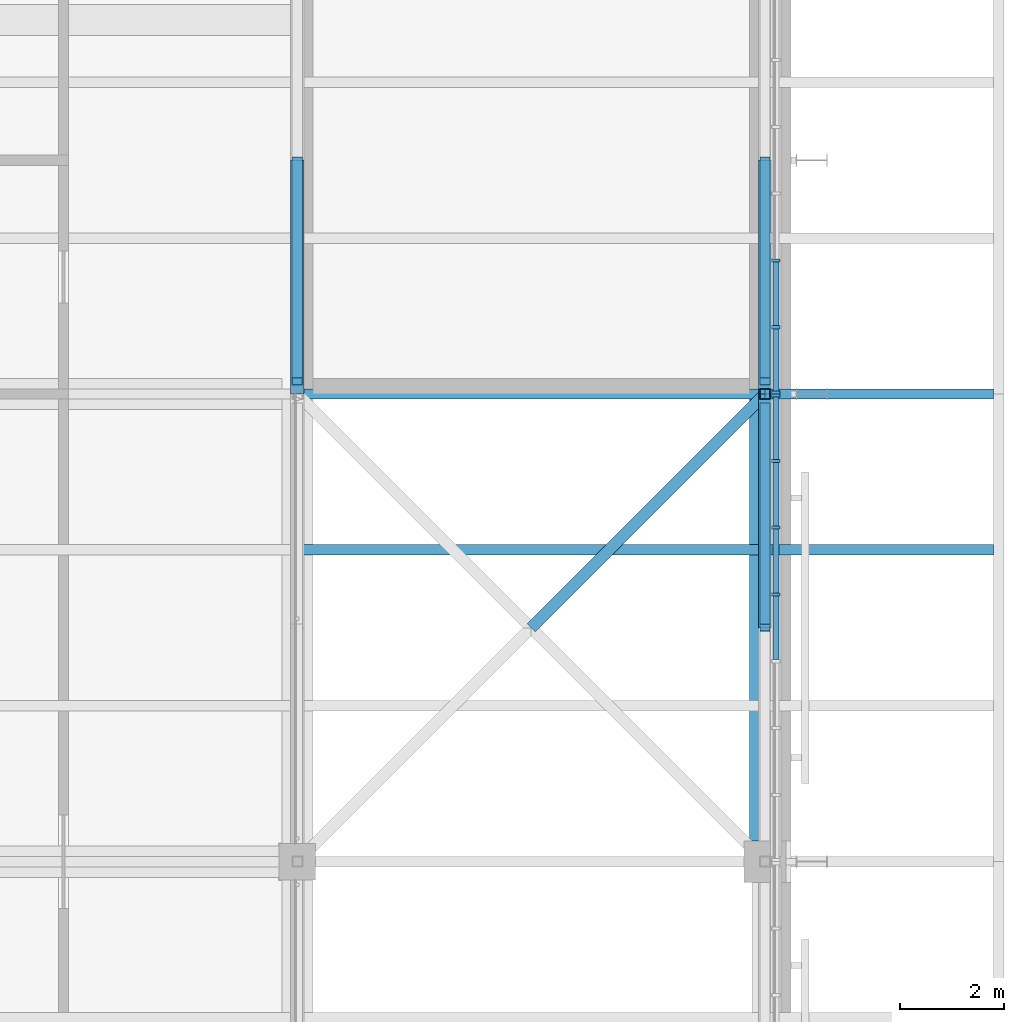
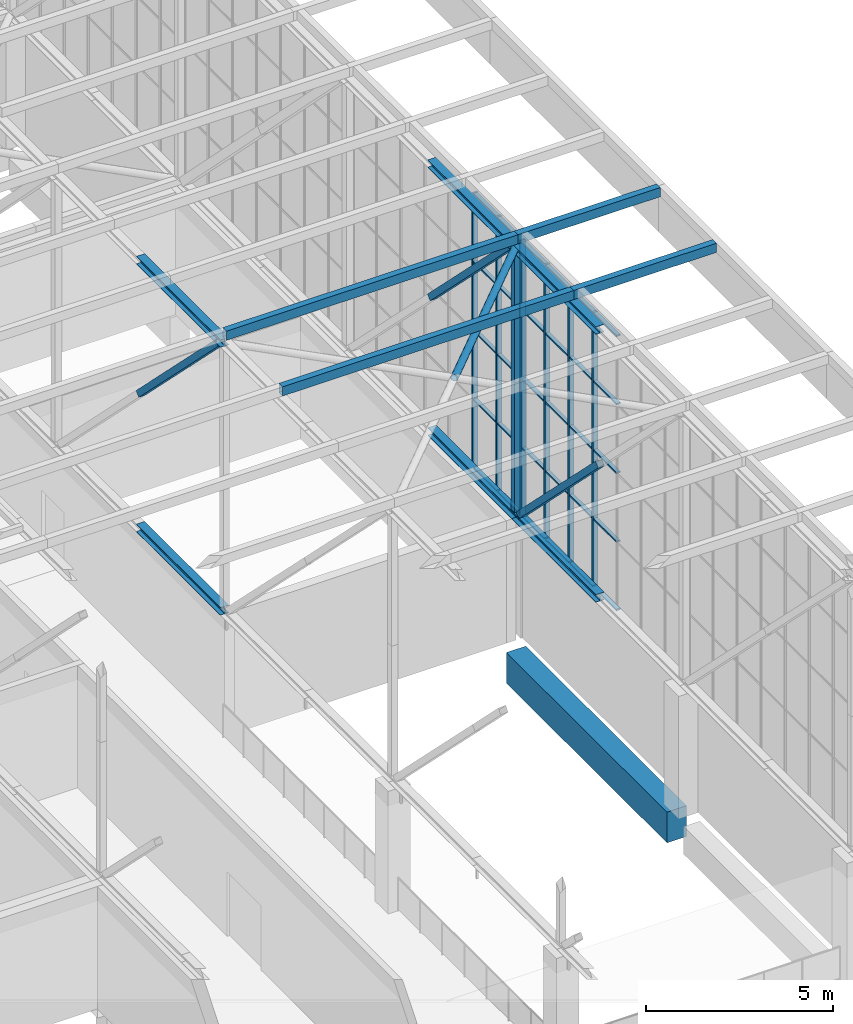
# One storey, part 93 of 646: 53 members, 1 beam, 2 elements without a shape of their own.
"""IFC4 building model written with IfcOpenShell, lengths in metres."""

from ifc_helpers import new_model, si_unit, direction, frame, origin, origin_2d, place, context, subcontext, project, spatial, rectangle, hollow_rectangle, hollow_circle, i_section, extrude, material, material_profile, profile_set, type_object, element, aggregate, save


model = new_model("IFC4")

# Units and contexts
model_context = context("Model", 3, precision=1e-05, world=origin(), true_north=direction((0.0, 1.0)))
body_context = subcontext(model_context, "Body", "Model", "MODEL_VIEW")
ifc_project = project(units=[si_unit("LENGTHUNIT", "METRE"), si_unit("AREAUNIT", "SQUARE_METRE"), si_unit("VOLUMEUNIT", "CUBIC_METRE"), si_unit("PLANEANGLEUNIT", "RADIAN"), si_unit("MASSUNIT", "GRAM", prefix="KILO")], contexts=[model_context])

# Site, building, storey
site_placement = place(None, origin())
site = spatial("IfcSite", under=ifc_project, at=site_placement, CompositionType="ELEMENT")
building_placement = place(site_placement, origin())
building = spatial("IfcBuilding", under=site, at=building_placement, Name="Silverbay Arena", CompositionType="ELEMENT")
storey_placement = place(building_placement, frame((0.0, 0.0, 33.5)))
storey = spatial("IfcBuildingStorey", under=building, at=storey_placement, Name="L05", CompositionType="ELEMENT", Elevation=33.5)

# Curtain wall, members
ifc_material_1 = material(Name="Aluminium framed glazing", Category="aluminium")
curtain_wall_type = type_object("IfcCurtainWallType", Name="Curtain wall clerestory 9000 x 9000", PredefinedType="NOTDEFINED", material=ifc_material_1)
curtain_wall_1_placement = place(storey_placement, origin())
curtain_wall_1 = element("IfcCurtainWall", 1, at=curtain_wall_1_placement, inside=storey, type_object=curtain_wall_type, Name="ROOF GABLE CLERESTORY CURTAIN WALL east bay 05", PredefinedType="NOTDEFINED")
ifc_material_2 = material(Name="Aluminium", Category="aluminium")
ifc_material_profile_1 = material_profile(ifc_material_2, rectangle(XDim=0.159912109375, YDim=0.06005859375, at=origin_2d()), Name="Mullion 60 x 160")
ifc_profile_set_1 = profile_set([ifc_material_profile_1], Name="Aluminium")
member_type_1 = type_object("IfcMemberType", Name="Mullion 60 x 160", PredefinedType="MULLION", material=ifc_profile_set_1)
member_1_placement = place(storey_placement, frame((207.2099609375, 50.142822265625, 4.0), z_axis=(0.0, 0.0, 1.0), x_axis=(-1.0, 0.0, 0.0)))
member_1 = element("IfcMember", 2, at=member_1_placement, type_object=member_type_1, Name="CW60 mullion 5", PredefinedType="MULLION", context=body_context, shape_type="SweptSolid", body=[
    extrude(rectangle(XDim=0.159912109375, YDim=0.06005859375, at=origin_2d()), origin(), (0.0, 0.0, 1.0), 9.0),
])
member_2_placement = place(storey_placement, frame((207.2099609375, 51.428466796875, 4.0), z_axis=(0.0, 0.0, 1.0), x_axis=(-1.0, 0.0, 0.0)))
member_2 = element("IfcMember", 3, at=member_2_placement, type_object=member_type_1, Name="CW60 mullion 6", PredefinedType="MULLION", context=body_context, shape_type="SweptSolid", body=[
    extrude(rectangle(XDim=0.159912109375, YDim=0.06005859375, at=origin_2d()), origin(), (0.0, 0.0, 1.0), 9.0),
])
member_3_placement = place(storey_placement, frame((207.2099609375, 52.71435546875, 4.0), z_axis=(0.0, 0.0, 1.0), x_axis=(-1.0, 0.0, 0.0)))
member_3 = element("IfcMember", 4, at=member_3_placement, type_object=member_type_1, Name="CW60 mullion 7", PredefinedType="MULLION", context=body_context, shape_type="SweptSolid", body=[
    extrude(rectangle(XDim=0.159912109375, YDim=0.06005859375, at=origin_2d()), origin(), (0.0, 0.0, 1.0), 9.0),
])
member_4_placement = place(storey_placement, frame((207.2099609375, 53.969970703125, 4.0), z_axis=(0.0, 0.0, 1.0), x_axis=(-1.0, 0.0, 0.0)))
member_4 = element("IfcMember", 5, at=member_4_placement, type_object=member_type_1, Name="CW60 mullion 8", PredefinedType="MULLION", context=body_context, shape_type="SweptSolid", body=[
    extrude(rectangle(XDim=0.159912109375, YDim=0.06005859375, at=origin_2d()), origin(), (0.0, 0.0, 1.0), 9.0),
])

curtain_wall_2_placement = place(storey_placement, origin())
curtain_wall_2 = element("IfcCurtainWall", 6, at=curtain_wall_2_placement, inside=storey, type_object=curtain_wall_type, Name="ROOF GABLE CLERESTORY CURTAIN WALL east bay 06", PredefinedType="NOTDEFINED")
member_5_placement = place(storey_placement, frame((207.2099609375, 54.030029296875, 4.0), z_axis=(0.0, 0.0, 1.0), x_axis=(-1.0, 0.0, 0.0)))
member_5 = element("IfcMember", 7, at=member_5_placement, type_object=member_type_1, Name="CW60 mullion 1", PredefinedType="MULLION", context=body_context, shape_type="SweptSolid", body=[
    extrude(rectangle(XDim=0.159912109375, YDim=0.06005859375, at=origin_2d()), origin(), (0.0, 0.0, 1.0), 9.0),
])
member_6_placement = place(storey_placement, frame((207.2099609375, 55.28564453125, 4.0), z_axis=(0.0, 0.0, 1.0), x_axis=(-1.0, 0.0, 0.0)))
member_6 = element("IfcMember", 8, at=member_6_placement, type_object=member_type_1, Name="CW60 mullion 2", PredefinedType="MULLION", context=body_context, shape_type="SweptSolid", body=[
    extrude(rectangle(XDim=0.159912109375, YDim=0.06005859375, at=origin_2d()), origin(), (0.0, 0.0, 1.0), 9.0),
])
member_7_placement = place(storey_placement, frame((207.2099609375, 56.571533203125, 4.0), z_axis=(0.0, 0.0, 1.0), x_axis=(-1.0, 0.0, 0.0)))
member_7 = element("IfcMember", 9, at=member_7_placement, type_object=member_type_1, Name="CW60 mullion 3", PredefinedType="MULLION", context=body_context, shape_type="SweptSolid", body=[
    extrude(rectangle(XDim=0.159912109375, YDim=0.06005859375, at=origin_2d()), origin(), (0.0, 0.0, 1.0), 9.0),
])

# Members
ifc_material_3 = material(Name="Steel S355", Category="steel")
ifc_material_profile_2 = material_profile(ifc_material_3, hollow_circle(Radius=0.109619140625, WallThickness=0.00634765625, at=origin_2d()), Name="CHS 219.1x6.3")
ifc_profile_set_2 = profile_set([ifc_material_profile_2], Name="Steel S355")
member_type_2 = type_object("IfcMemberType", Name="Plan bracing CHS 219.1x6.3", PredefinedType="BRACE", material=ifc_profile_set_2)
member_8_placement = place(storey_placement, frame((202.5, 49.5, 12.873046875), z_axis=(0.707106781187, 0.707106781187, 0.0), x_axis=(-0.707106781187, 0.707106781187, 0.0)))
element("IfcMember", 10, at=member_8_placement, inside=storey, type_object=member_type_2, Name="ROOF BRACING top 23-24 panel 05 Ab", PredefinedType="BRACE", context=body_context, shape_type="SweptSolid", body=[
    extrude(hollow_circle(Radius=0.109619140625, WallThickness=0.00634765625, at=origin_2d()), origin(), (0.0, 0.0, 1.0), 6.364013671875),
])
ifc_material_4 = material(Name="Steel S355", Category="steel")
ifc_material_profile_3 = material_profile(ifc_material_4, hollow_rectangle(XDim=0.199951171875, YDim=0.300048828125, WallThickness=0.008056640625, at=origin_2d()), Name="RHS 300x200x8")
ifc_profile_set_3 = profile_set([ifc_material_profile_3], Name="Steel S355")
member_type_3 = type_object("IfcMemberType", Name="Purlin RHS 300x200x8", PredefinedType="PURLIN", material=ifc_profile_set_3)
for number, where, z_axis, x_axis, name in (
    (11, (198.0, 51.0, 13.14990234375), (1.0, 0.0, 0.0), (0.0, 1.0, 0.0), "ROOF PURLIN 23-24 line 15"),
    (12, (198.0, 54.0, 13.14990234375), (1.0, 0.0, 0.0), (0.0, 1.0, 0.0), "ROOF PURLIN 23-24 line 16"),
):
    element("IfcMember", number, at=place(storey_placement, frame(where, z_axis=z_axis, x_axis=x_axis)), inside=storey, type_object=member_type_3, Name=name, PredefinedType="PURLIN", context=body_context, shape_type="SweptSolid", body=[
        extrude(hollow_rectangle(XDim=0.199951171875, YDim=0.300048828125, WallThickness=0.008056640625, at=origin_2d()), origin(), (0.0, 0.0, 1.0), 9.0),
    ])
for number, where, z_axis, x_axis, name in (
    (13, (211.39990234375, 51.0, 13.14990234375), (-1.0, 0.0, 0.0), (0.0, -1.0, 0.0), "ROOF PURLIN east eave line 15"),
    (14, (211.39990234375, 54.0, 13.14990234375), (-1.0, 0.0, 0.0), (0.0, -1.0, 0.0), "ROOF PURLIN east eave line 16"),
):
    element("IfcMember", number, at=place(storey_placement, frame(where, z_axis=z_axis, x_axis=x_axis)), inside=storey, type_object=member_type_3, Name=name, PredefinedType="PURLIN", context=body_context, shape_type="SweptSolid", body=[
        extrude(hollow_rectangle(XDim=0.199951171875, YDim=0.300048828125, WallThickness=0.008056640625, at=origin_2d()), origin(), (0.0, 0.0, 1.0), 4.39990234375),
    ])

# Beam
ifc_material_5 = material(Name="Concrete Grade C45", Category="concrete")
ifc_material_profile_4 = material_profile(ifc_material_5, rectangle(XDim=0.60009765625, YDim=1.0, at=origin_2d()), Name="RC 600x1000")
ifc_profile_set_4 = profile_set([ifc_material_profile_4], Name="Concrete Grade C45")
beam_type = type_object("IfcBeamType", Name="RC beam 600x1000", PredefinedType="BEAM", material=ifc_profile_set_4)
beam_placement = place(storey_placement, frame((207.0, 45.39990234375, -0.800048828125), z_axis=(0.0, 1.0, 0.0), x_axis=(-1.0, 0.0, 0.0)))
element("IfcBeam", 15, at=beam_placement, inside=storey, type_object=beam_type, Name="Floor beam L05 149", PredefinedType="BEAM", context=body_context, shape_type="SweptSolid", body=[
    extrude(rectangle(XDim=0.60009765625, YDim=1.0, at=origin_2d()), origin(), (0.0, 0.0, 1.0), 8.60009765625),
])

# Members
ifc_material_6 = material(Name="Steel S355", Category="steel")
ifc_material_profile_5 = material_profile(ifc_material_6, i_section(OverallWidth=0.254638671875, OverallDepth=0.254150390625, WebThickness=0.008544921875, FlangeThickness=0.01416015625, at=origin_2d()), Name="UC 254x254x73")
ifc_profile_set_5 = profile_set([ifc_material_profile_5], Name="Steel S355")
member_type_4 = type_object("IfcMemberType", Name="Short-span bottom chord UC 254x254x73", PredefinedType="CHORD", material=ifc_profile_set_5)
for number, where, z_axis, x_axis, name in (
    (16, (198.0, 54.0, 4.126953125), (0.0, 1.0, 0.0), (-1.0, 0.0, 0.0), "ROOF TRUSS 23 bottom chord 06a"),
    (17, (207.0, 49.5, 4.126953125), (0.0, 1.0, 0.0), (-1.0, 0.0, 0.0), "ROOF TRUSS 24 bottom chord 05b"),
    (18, (207.0, 54.0, 4.126953125), (0.0, 1.0, 0.0), (-1.0, 0.0, 0.0), "ROOF TRUSS 24 bottom chord 06a"),
):
    element("IfcMember", number, at=place(storey_placement, frame(where, z_axis=z_axis, x_axis=x_axis)), inside=storey, type_object=member_type_4, Name=name, PredefinedType="CHORD", context=body_context, shape_type="SweptSolid", body=[
        extrude(i_section(OverallWidth=0.254638671875, OverallDepth=0.254150390625, WebThickness=0.008544921875, FlangeThickness=0.01416015625, at=origin_2d()), origin(), (0.0, 0.0, 1.0), 4.5),
    ])
ifc_material_7 = material(Name="Steel S355", Category="steel")
ifc_material_profile_6 = material_profile(ifc_material_7, i_section(OverallWidth=0.254638671875, OverallDepth=0.254150390625, WebThickness=0.008544921875, FlangeThickness=0.01416015625, at=origin_2d()), Name="UC 254x254x73")
ifc_profile_set_6 = profile_set([ifc_material_profile_6], Name="Steel S355")
member_type_5 = type_object("IfcMemberType", Name="Short-span top chord UC 254x254x73", PredefinedType="CHORD", material=ifc_profile_set_6)
for number, where, z_axis, x_axis, name in (
    (19, (198.0, 54.0, 12.873046875), (0.0, 1.0, 0.0), (-1.0, 0.0, 0.0), "ROOF TRUSS 23 top chord 06a"),
    (20, (207.0, 49.5, 12.873046875), (0.0, 1.0, 0.0), (-1.0, 0.0, 0.0), "ROOF TRUSS 24 top chord 05b"),
    (21, (207.0, 54.0, 12.873046875), (0.0, 1.0, 0.0), (-1.0, 0.0, 0.0), "ROOF TRUSS 24 top chord 06a"),
):
    element("IfcMember", number, at=place(storey_placement, frame(where, z_axis=z_axis, x_axis=x_axis)), inside=storey, type_object=member_type_5, Name=name, PredefinedType="CHORD", context=body_context, shape_type="SweptSolid", body=[
        extrude(i_section(OverallWidth=0.254638671875, OverallDepth=0.254150390625, WebThickness=0.008544921875, FlangeThickness=0.01416015625, at=origin_2d()), origin(), (0.0, 0.0, 1.0), 4.5),
    ])
ifc_material_8 = material(Name="Steel S355", Category="steel")
ifc_material_profile_7 = material_profile(ifc_material_8, hollow_rectangle(XDim=0.199951171875, YDim=0.199951171875, WallThickness=0.008056640625, at=origin_2d()), Name="SHS 200x200x8")
ifc_profile_set_7 = profile_set([ifc_material_profile_7], Name="Steel S355")
member_type_6 = type_object("IfcMemberType", Name="Short-span truss diagonal SHS 200x200x8", PredefinedType="BRACE", material=ifc_profile_set_7)
member_9_placement = place(storey_placement, frame((198.0, 54.24560546875, 12.745849609375), z_axis=(0.0, 0.707411529143, -0.706801901834), x_axis=(-1.0, 0.0, 0.0)))
element("IfcMember", 22, at=member_9_placement, inside=storey, type_object=member_type_6, Name="ROOF TRUSS 23 diagonal 06a", PredefinedType="BRACE", context=body_context, shape_type="SweptSolid", body=[
    extrude(hollow_rectangle(XDim=0.199951171875, YDim=0.199951171875, WallThickness=0.008056640625, at=origin_2d()), origin(), (0.0, 0.0, 1.0), 6.007080078125),
])
member_10_placement = place(storey_placement, frame((207.0, 49.5, 8.5), z_axis=(0.0, 0.70781724692, -0.706395600894), x_axis=(-1.0, 0.0, 0.0)))
element("IfcMember", 23, at=member_10_placement, inside=storey, type_object=member_type_6, Name="ROOF TRUSS 24 diagonal 05b", PredefinedType="BRACE", context=body_context, shape_type="SweptSolid", body=[
    extrude(hollow_rectangle(XDim=0.199951171875, YDim=0.199951171875, WallThickness=0.008056640625, at=origin_2d()), origin(), (0.0, 0.0, 1.0), 6.010498046875),
])
member_11_placement = place(storey_placement, frame((207.0, 54.24560546875, 12.745849609375), z_axis=(0.0, 0.707411529143, -0.706801901834), x_axis=(-1.0, 0.0, 0.0)))
element("IfcMember", 24, at=member_11_placement, inside=storey, type_object=member_type_6, Name="ROOF TRUSS 24 diagonal 06a", PredefinedType="BRACE", context=body_context, shape_type="SweptSolid", body=[
    extrude(hollow_rectangle(XDim=0.199951171875, YDim=0.199951171875, WallThickness=0.008056640625, at=origin_2d()), origin(), (0.0, 0.0, 1.0), 6.007080078125),
])
ifc_material_9 = material(Name="Steel S355", Category="steel")
ifc_material_profile_8 = material_profile(ifc_material_9, hollow_rectangle(XDim=0.199951171875, YDim=0.199951171875, WallThickness=0.008056640625, at=origin_2d()), Name="SHS 200x200x8")
ifc_profile_set_8 = profile_set([ifc_material_profile_8], Name="Steel S355")
member_type_7 = type_object("IfcMemberType", Name="Short-span truss vertical SHS 200x200x8", PredefinedType="STRUT", material=ifc_profile_set_8)
for number, where, z_axis, x_axis, name in (
    (25, (207.0, 54.0, 4.254150390625), (0.0, 0.0, 1.0), (1.0, 0.0, 0.0), "ROOF TRUSS 24 vertical 06a"),
    (26, (207.0, 54.0, 8.5), (0.0, 0.0, 1.0), (1.0, 0.0, 0.0), "ROOF TRUSS 24 vertical 06b"),
):
    element("IfcMember", number, at=place(storey_placement, frame(where, z_axis=z_axis, x_axis=x_axis)), inside=storey, type_object=member_type_7, Name=name, PredefinedType="STRUT", context=body_context, shape_type="SweptSolid", body=[
        extrude(hollow_rectangle(XDim=0.199951171875, YDim=0.199951171875, WallThickness=0.008056640625, at=origin_2d()), origin(), (0.0, 0.0, 1.0), 4.245849609375),
    ])

# Member
ifc_material_10 = material(Name="Aluminium", Category="aluminium")
ifc_material_profile_9 = material_profile(ifc_material_10, rectangle(XDim=0.1201171875, YDim=0.050048828125, at=origin_2d()), Name="Transom 50 x 120")
ifc_profile_set_9 = profile_set([ifc_material_profile_9], Name="Aluminium")
member_type_8 = type_object("IfcMemberType", Name="Transom 50 x 120", PredefinedType="USERDEFINED", material=ifc_profile_set_9)
member_12_placement = place(storey_placement, frame((207.2099609375, 48.88720703125, 4.02490234375), z_axis=(0.0, 1.0, 0.0), x_axis=(-1.0, 0.0, 0.0)))
member_12 = element("IfcMember", 27, at=member_12_placement, type_object=member_type_8, Name="CW60 transom 4.1", ObjectType="TRANSOM", PredefinedType="USERDEFINED", context=body_context, shape_type="SweptSolid", body=[
    extrude(rectangle(XDim=0.1201171875, YDim=0.050048828125, at=origin_2d()), origin(), (0.0, 0.0, 1.0), 1.2255859375),
])

member_13_placement = place(storey_placement, frame((207.2099609375, 48.88720703125, 6.25), z_axis=(0.0, 1.0, 0.0), x_axis=(-1.0, 0.0, 0.0)))
member_13 = element("IfcMember", 28, at=member_13_placement, type_object=member_type_8, Name="CW60 transom 4.2", ObjectType="TRANSOM", PredefinedType="USERDEFINED", context=body_context, shape_type="SweptSolid", body=[
    extrude(rectangle(XDim=0.1201171875, YDim=0.050048828125, at=origin_2d()), origin(), (0.0, 0.0, 1.0), 1.2255859375),
])

member_14_placement = place(storey_placement, frame((207.2099609375, 48.88720703125, 8.5), z_axis=(0.0, 1.0, 0.0), x_axis=(-1.0, 0.0, 0.0)))
member_14 = element("IfcMember", 29, at=member_14_placement, type_object=member_type_8, Name="CW60 transom 4.3", ObjectType="TRANSOM", PredefinedType="USERDEFINED", context=body_context, shape_type="SweptSolid", body=[
    extrude(rectangle(XDim=0.1201171875, YDim=0.050048828125, at=origin_2d()), origin(), (0.0, 0.0, 1.0), 1.2255859375),
])

member_15_placement = place(storey_placement, frame((207.2099609375, 48.88720703125, 10.75), z_axis=(0.0, 1.0, 0.0), x_axis=(-1.0, 0.0, 0.0)))
member_15 = element("IfcMember", 30, at=member_15_placement, type_object=member_type_8, Name="CW60 transom 4.4", ObjectType="TRANSOM", PredefinedType="USERDEFINED", context=body_context, shape_type="SweptSolid", body=[
    extrude(rectangle(XDim=0.1201171875, YDim=0.050048828125, at=origin_2d()), origin(), (0.0, 0.0, 1.0), 1.2255859375),
])

member_16_placement = place(storey_placement, frame((207.2099609375, 48.88720703125, 12.97509765625), z_axis=(0.0, 1.0, 0.0), x_axis=(-1.0, 0.0, 0.0)))
member_16 = element("IfcMember", 31, at=member_16_placement, type_object=member_type_8, Name="CW60 transom 4.5", ObjectType="TRANSOM", PredefinedType="USERDEFINED", context=body_context, shape_type="SweptSolid", body=[
    extrude(rectangle(XDim=0.1201171875, YDim=0.050048828125, at=origin_2d()), origin(), (0.0, 0.0, 1.0), 1.2255859375),
])

member_17_placement = place(storey_placement, frame((207.2099609375, 50.1728515625, 4.02490234375), z_axis=(0.0, 1.0, 0.0), x_axis=(-1.0, 0.0, 0.0)))
member_17 = element("IfcMember", 32, at=member_17_placement, type_object=member_type_8, Name="CW60 transom 5.1", ObjectType="TRANSOM", PredefinedType="USERDEFINED", context=body_context, shape_type="SweptSolid", body=[
    extrude(rectangle(XDim=0.1201171875, YDim=0.050048828125, at=origin_2d()), origin(), (0.0, 0.0, 1.0), 1.225830078125),
])

member_18_placement = place(storey_placement, frame((207.2099609375, 50.1728515625, 6.25), z_axis=(0.0, 1.0, 0.0), x_axis=(-1.0, 0.0, 0.0)))
member_18 = element("IfcMember", 33, at=member_18_placement, type_object=member_type_8, Name="CW60 transom 5.2", ObjectType="TRANSOM", PredefinedType="USERDEFINED", context=body_context, shape_type="SweptSolid", body=[
    extrude(rectangle(XDim=0.1201171875, YDim=0.050048828125, at=origin_2d()), origin(), (0.0, 0.0, 1.0), 1.225830078125),
])

member_19_placement = place(storey_placement, frame((207.2099609375, 50.1728515625, 8.5), z_axis=(0.0, 1.0, 0.0), x_axis=(-1.0, 0.0, 0.0)))
member_19 = element("IfcMember", 34, at=member_19_placement, type_object=member_type_8, Name="CW60 transom 5.3", ObjectType="TRANSOM", PredefinedType="USERDEFINED", context=body_context, shape_type="SweptSolid", body=[
    extrude(rectangle(XDim=0.1201171875, YDim=0.050048828125, at=origin_2d()), origin(), (0.0, 0.0, 1.0), 1.225830078125),
])

member_20_placement = place(storey_placement, frame((207.2099609375, 50.1728515625, 10.75), z_axis=(0.0, 1.0, 0.0), x_axis=(-1.0, 0.0, 0.0)))
member_20 = element("IfcMember", 35, at=member_20_placement, type_object=member_type_8, Name="CW60 transom 5.4", ObjectType="TRANSOM", PredefinedType="USERDEFINED", context=body_context, shape_type="SweptSolid", body=[
    extrude(rectangle(XDim=0.1201171875, YDim=0.050048828125, at=origin_2d()), origin(), (0.0, 0.0, 1.0), 1.225830078125),
])

member_21_placement = place(storey_placement, frame((207.2099609375, 50.1728515625, 12.97509765625), z_axis=(0.0, 1.0, 0.0), x_axis=(-1.0, 0.0, 0.0)))
member_21 = element("IfcMember", 36, at=member_21_placement, type_object=member_type_8, Name="CW60 transom 5.5", ObjectType="TRANSOM", PredefinedType="USERDEFINED", context=body_context, shape_type="SweptSolid", body=[
    extrude(rectangle(XDim=0.1201171875, YDim=0.050048828125, at=origin_2d()), origin(), (0.0, 0.0, 1.0), 1.225830078125),
])

member_22_placement = place(storey_placement, frame((207.2099609375, 51.45849609375, 4.02490234375), z_axis=(0.0, 1.0, 0.0), x_axis=(-1.0, 0.0, 0.0)))
member_22 = element("IfcMember", 37, at=member_22_placement, type_object=member_type_8, Name="CW60 transom 6.1", ObjectType="TRANSOM", PredefinedType="USERDEFINED", context=body_context, shape_type="SweptSolid", body=[
    extrude(rectangle(XDim=0.1201171875, YDim=0.050048828125, at=origin_2d()), origin(), (0.0, 0.0, 1.0), 1.225830078125),
])

member_23_placement = place(storey_placement, frame((207.2099609375, 51.45849609375, 6.25), z_axis=(0.0, 1.0, 0.0), x_axis=(-1.0, 0.0, 0.0)))
member_23 = element("IfcMember", 38, at=member_23_placement, type_object=member_type_8, Name="CW60 transom 6.2", ObjectType="TRANSOM", PredefinedType="USERDEFINED", context=body_context, shape_type="SweptSolid", body=[
    extrude(rectangle(XDim=0.1201171875, YDim=0.050048828125, at=origin_2d()), origin(), (0.0, 0.0, 1.0), 1.225830078125),
])

member_24_placement = place(storey_placement, frame((207.2099609375, 51.45849609375, 8.5), z_axis=(0.0, 1.0, 0.0), x_axis=(-1.0, 0.0, 0.0)))
member_24 = element("IfcMember", 39, at=member_24_placement, type_object=member_type_8, Name="CW60 transom 6.3", ObjectType="TRANSOM", PredefinedType="USERDEFINED", context=body_context, shape_type="SweptSolid", body=[
    extrude(rectangle(XDim=0.1201171875, YDim=0.050048828125, at=origin_2d()), origin(), (0.0, 0.0, 1.0), 1.225830078125),
])

member_25_placement = place(storey_placement, frame((207.2099609375, 51.45849609375, 10.75), z_axis=(0.0, 1.0, 0.0), x_axis=(-1.0, 0.0, 0.0)))
member_25 = element("IfcMember", 40, at=member_25_placement, type_object=member_type_8, Name="CW60 transom 6.4", ObjectType="TRANSOM", PredefinedType="USERDEFINED", context=body_context, shape_type="SweptSolid", body=[
    extrude(rectangle(XDim=0.1201171875, YDim=0.050048828125, at=origin_2d()), origin(), (0.0, 0.0, 1.0), 1.225830078125),
])

member_26_placement = place(storey_placement, frame((207.2099609375, 51.45849609375, 12.97509765625), z_axis=(0.0, 1.0, 0.0), x_axis=(-1.0, 0.0, 0.0)))
member_26 = element("IfcMember", 41, at=member_26_placement, type_object=member_type_8, Name="CW60 transom 6.5", ObjectType="TRANSOM", PredefinedType="USERDEFINED", context=body_context, shape_type="SweptSolid", body=[
    extrude(rectangle(XDim=0.1201171875, YDim=0.050048828125, at=origin_2d()), origin(), (0.0, 0.0, 1.0), 1.225830078125),
])

member_27_placement = place(storey_placement, frame((207.2099609375, 52.744384765625, 4.02490234375), z_axis=(0.0, 1.0, 0.0), x_axis=(-1.0, 0.0, 0.0)))
member_27 = element("IfcMember", 42, at=member_27_placement, type_object=member_type_8, Name="CW60 transom 7.1", ObjectType="TRANSOM", PredefinedType="USERDEFINED", context=body_context, shape_type="SweptSolid", body=[
    extrude(rectangle(XDim=0.1201171875, YDim=0.050048828125, at=origin_2d()), origin(), (0.0, 0.0, 1.0), 1.195556640625),
])

member_28_placement = place(storey_placement, frame((207.2099609375, 52.744384765625, 6.25), z_axis=(0.0, 1.0, 0.0), x_axis=(-1.0, 0.0, 0.0)))
member_28 = element("IfcMember", 43, at=member_28_placement, type_object=member_type_8, Name="CW60 transom 7.2", ObjectType="TRANSOM", PredefinedType="USERDEFINED", context=body_context, shape_type="SweptSolid", body=[
    extrude(rectangle(XDim=0.1201171875, YDim=0.050048828125, at=origin_2d()), origin(), (0.0, 0.0, 1.0), 1.195556640625),
])

member_29_placement = place(storey_placement, frame((207.2099609375, 52.744384765625, 8.5), z_axis=(0.0, 1.0, 0.0), x_axis=(-1.0, 0.0, 0.0)))
member_29 = element("IfcMember", 44, at=member_29_placement, type_object=member_type_8, Name="CW60 transom 7.3", ObjectType="TRANSOM", PredefinedType="USERDEFINED", context=body_context, shape_type="SweptSolid", body=[
    extrude(rectangle(XDim=0.1201171875, YDim=0.050048828125, at=origin_2d()), origin(), (0.0, 0.0, 1.0), 1.195556640625),
])

member_30_placement = place(storey_placement, frame((207.2099609375, 52.744384765625, 10.75), z_axis=(0.0, 1.0, 0.0), x_axis=(-1.0, 0.0, 0.0)))
member_30 = element("IfcMember", 45, at=member_30_placement, type_object=member_type_8, Name="CW60 transom 7.4", ObjectType="TRANSOM", PredefinedType="USERDEFINED", context=body_context, shape_type="SweptSolid", body=[
    extrude(rectangle(XDim=0.1201171875, YDim=0.050048828125, at=origin_2d()), origin(), (0.0, 0.0, 1.0), 1.195556640625),
])

member_31_placement = place(storey_placement, frame((207.2099609375, 52.744384765625, 12.97509765625), z_axis=(0.0, 1.0, 0.0), x_axis=(-1.0, 0.0, 0.0)))
member_31 = element("IfcMember", 46, at=member_31_placement, type_object=member_type_8, Name="CW60 transom 7.5", ObjectType="TRANSOM", PredefinedType="USERDEFINED", context=body_context, shape_type="SweptSolid", body=[
    extrude(rectangle(XDim=0.1201171875, YDim=0.050048828125, at=origin_2d()), origin(), (0.0, 0.0, 1.0), 1.195556640625),
])

aggregate(curtain_wall_1, [member_1, member_2, member_3, member_4, member_12, member_13, member_14, member_15, member_16, member_17, member_18, member_19, member_20, member_21, member_22, member_23, member_24, member_25, member_26, member_27, member_28, member_29, member_30, member_31])

member_32_placement = place(storey_placement, frame((207.2099609375, 54.06005859375, 4.02490234375), z_axis=(0.0, 1.0, 0.0), x_axis=(-1.0, 0.0, 0.0)))
member_32 = element("IfcMember", 47, at=member_32_placement, type_object=member_type_8, Name="CW60 transom 1.1", ObjectType="TRANSOM", PredefinedType="USERDEFINED", context=body_context, shape_type="SweptSolid", body=[
    extrude(rectangle(XDim=0.1201171875, YDim=0.050048828125, at=origin_2d()), origin(), (0.0, 0.0, 1.0), 1.195556640625),
])

member_33_placement = place(storey_placement, frame((207.2099609375, 54.06005859375, 6.25), z_axis=(0.0, 1.0, 0.0), x_axis=(-1.0, 0.0, 0.0)))
member_33 = element("IfcMember", 48, at=member_33_placement, type_object=member_type_8, Name="CW60 transom 1.2", ObjectType="TRANSOM", PredefinedType="USERDEFINED", context=body_context, shape_type="SweptSolid", body=[
    extrude(rectangle(XDim=0.1201171875, YDim=0.050048828125, at=origin_2d()), origin(), (0.0, 0.0, 1.0), 1.195556640625),
])

member_34_placement = place(storey_placement, frame((207.2099609375, 54.06005859375, 8.5), z_axis=(0.0, 1.0, 0.0), x_axis=(-1.0, 0.0, 0.0)))
member_34 = element("IfcMember", 49, at=member_34_placement, type_object=member_type_8, Name="CW60 transom 1.3", ObjectType="TRANSOM", PredefinedType="USERDEFINED", context=body_context, shape_type="SweptSolid", body=[
    extrude(rectangle(XDim=0.1201171875, YDim=0.050048828125, at=origin_2d()), origin(), (0.0, 0.0, 1.0), 1.195556640625),
])

member_35_placement = place(storey_placement, frame((207.2099609375, 54.06005859375, 10.75), z_axis=(0.0, 1.0, 0.0), x_axis=(-1.0, 0.0, 0.0)))
member_35 = element("IfcMember", 50, at=member_35_placement, type_object=member_type_8, Name="CW60 transom 1.4", ObjectType="TRANSOM", PredefinedType="USERDEFINED", context=body_context, shape_type="SweptSolid", body=[
    extrude(rectangle(XDim=0.1201171875, YDim=0.050048828125, at=origin_2d()), origin(), (0.0, 0.0, 1.0), 1.195556640625),
])

member_36_placement = place(storey_placement, frame((207.2099609375, 54.06005859375, 12.97509765625), z_axis=(0.0, 1.0, 0.0), x_axis=(-1.0, 0.0, 0.0)))
member_36 = element("IfcMember", 51, at=member_36_placement, type_object=member_type_8, Name="CW60 transom 1.5", ObjectType="TRANSOM", PredefinedType="USERDEFINED", context=body_context, shape_type="SweptSolid", body=[
    extrude(rectangle(XDim=0.1201171875, YDim=0.050048828125, at=origin_2d()), origin(), (0.0, 0.0, 1.0), 1.195556640625),
])

member_37_placement = place(storey_placement, frame((207.2099609375, 55.315673828125, 4.02490234375), z_axis=(0.0, 1.0, 0.0), x_axis=(-1.0, 0.0, 0.0)))
member_37 = element("IfcMember", 52, at=member_37_placement, type_object=member_type_8, Name="CW60 transom 2.1", ObjectType="TRANSOM", PredefinedType="USERDEFINED", context=body_context, shape_type="SweptSolid", body=[
    extrude(rectangle(XDim=0.1201171875, YDim=0.050048828125, at=origin_2d()), origin(), (0.0, 0.0, 1.0), 1.225830078125),
])

member_38_placement = place(storey_placement, frame((207.2099609375, 55.315673828125, 6.25), z_axis=(0.0, 1.0, 0.0), x_axis=(-1.0, 0.0, 0.0)))
member_38 = element("IfcMember", 53, at=member_38_placement, type_object=member_type_8, Name="CW60 transom 2.2", ObjectType="TRANSOM", PredefinedType="USERDEFINED", context=body_context, shape_type="SweptSolid", body=[
    extrude(rectangle(XDim=0.1201171875, YDim=0.050048828125, at=origin_2d()), origin(), (0.0, 0.0, 1.0), 1.225830078125),
])

member_39_placement = place(storey_placement, frame((207.2099609375, 55.315673828125, 8.5), z_axis=(0.0, 1.0, 0.0), x_axis=(-1.0, 0.0, 0.0)))
member_39 = element("IfcMember", 54, at=member_39_placement, type_object=member_type_8, Name="CW60 transom 2.3", ObjectType="TRANSOM", PredefinedType="USERDEFINED", context=body_context, shape_type="SweptSolid", body=[
    extrude(rectangle(XDim=0.1201171875, YDim=0.050048828125, at=origin_2d()), origin(), (0.0, 0.0, 1.0), 1.225830078125),
])

member_40_placement = place(storey_placement, frame((207.2099609375, 55.315673828125, 10.75), z_axis=(0.0, 1.0, 0.0), x_axis=(-1.0, 0.0, 0.0)))
member_40 = element("IfcMember", 55, at=member_40_placement, type_object=member_type_8, Name="CW60 transom 2.4", ObjectType="TRANSOM", PredefinedType="USERDEFINED", context=body_context, shape_type="SweptSolid", body=[
    extrude(rectangle(XDim=0.1201171875, YDim=0.050048828125, at=origin_2d()), origin(), (0.0, 0.0, 1.0), 1.225830078125),
])

member_41_placement = place(storey_placement, frame((207.2099609375, 55.315673828125, 12.97509765625), z_axis=(0.0, 1.0, 0.0), x_axis=(-1.0, 0.0, 0.0)))
member_41 = element("IfcMember", 56, at=member_41_placement, type_object=member_type_8, Name="CW60 transom 2.5", ObjectType="TRANSOM", PredefinedType="USERDEFINED", context=body_context, shape_type="SweptSolid", body=[
    extrude(rectangle(XDim=0.1201171875, YDim=0.050048828125, at=origin_2d()), origin(), (0.0, 0.0, 1.0), 1.225830078125),
])

aggregate(curtain_wall_2, [member_5, member_6, member_7, member_32, member_33, member_34, member_35, member_36, member_37, member_38, member_39, member_40, member_41])

save(model, "model.ifc")
